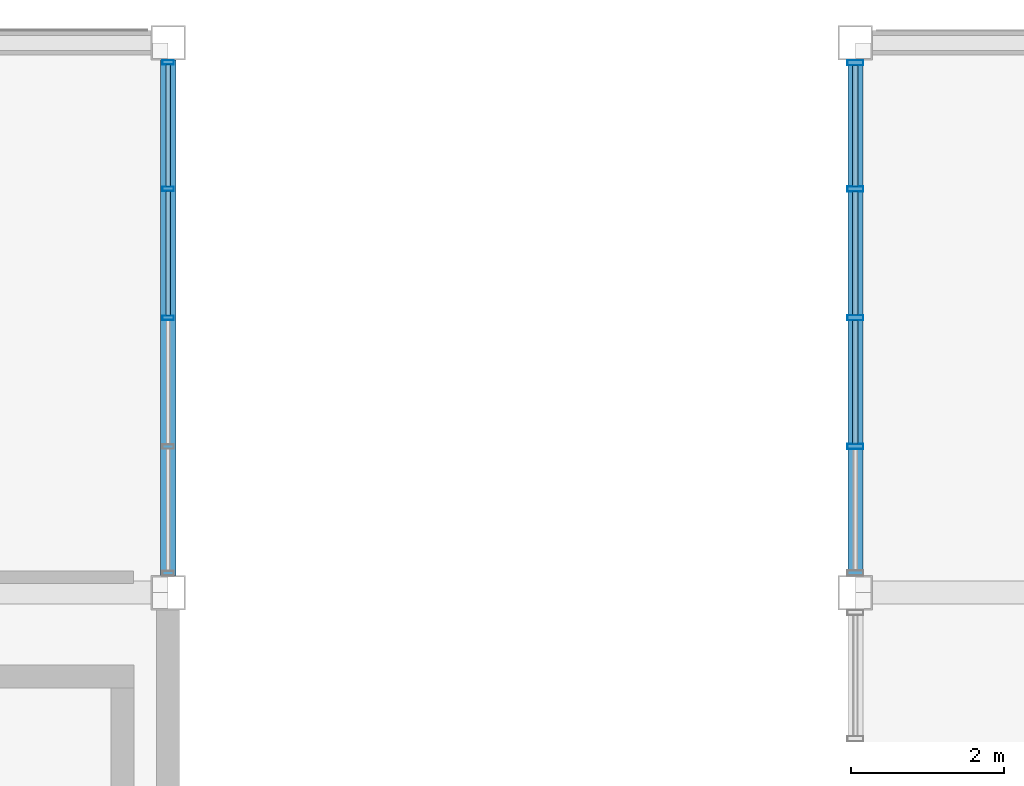
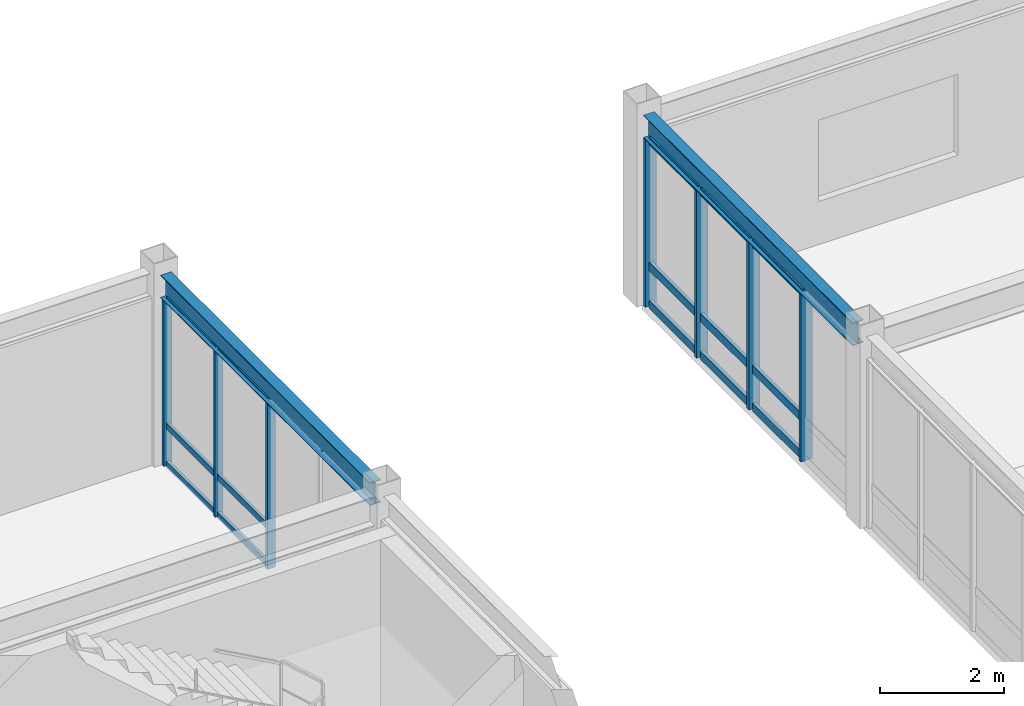
# One storey, part 62 of 113: 22 members, 2 beams, 2 elements without a shape of their own.
"""IFC4 building model written with IfcOpenShell, lengths in metres."""

from ifc_helpers import new_model, si_unit, direction, frame, origin, origin_2d, place, context, subcontext, project, spatial, hollow_rectangle, i_section, extrude, material, material_profile, profile_set, type_object, element, aggregate, save


model = new_model("IFC4")

# Units and contexts
model_context = context("Model", 3, precision=1e-05, world=origin(), true_north=direction((0.0, 1.0)))
body_context = subcontext(model_context, "Body", "Model", "MODEL_VIEW")
ifc_project = project(units=[si_unit("LENGTHUNIT", "METRE"), si_unit("AREAUNIT", "SQUARE_METRE"), si_unit("VOLUMEUNIT", "CUBIC_METRE"), si_unit("PLANEANGLEUNIT", "RADIAN"), si_unit("MASSUNIT", "GRAM", prefix="KILO")], contexts=[model_context])

# Site, building, storey
site_placement = place(None, origin())
site = spatial("IfcSite", under=ifc_project, at=site_placement, CompositionType="ELEMENT")
building_placement = place(site_placement, origin())
building = spatial("IfcBuilding", under=site, at=building_placement, Name="Kazanami Central Library", CompositionType="ELEMENT")
storey_placement = place(building_placement, frame((0.0, 0.0, 8.800048828125)))
storey = spatial("IfcBuildingStorey", under=building, at=storey_placement, Name="L03", CompositionType="ELEMENT", Elevation=8.800048828125)

# Beams
ifc_material_1 = material(Name="Steel SN490B (325 MPa)", Category="steel")
ifc_material_profile_1 = material_profile(ifc_material_1, i_section(OverallWidth=0.199951171875, OverallDepth=0.449951171875, WebThickness=0.009033203125, FlangeThickness=0.013916015625, at=origin_2d()), Name="H-450x200x9x14")
ifc_profile_set_1 = profile_set([ifc_material_profile_1], Name="Steel SN490B (325 MPa)")
beam_type = type_object("IfcBeamType", Name="BM-SP-2", PredefinedType="SPANDREL", material=ifc_profile_set_1)
for number, where, z_axis, x_axis, name in (
    (1, (36.0, 86.623046875, 3.52001953125), (0.0, 1.0, 0.0), (-1.0, 0.0, 0.0), "Girder SP-2 L03 5/N-O"),
    (2, (45.0, 86.623046875, 3.52001953125), (0.0, 1.0, 0.0), (-1.0, 0.0, 0.0), "Girder SP-2 L03 6/N-O"),
):
    element("IfcBeam", number, at=place(storey_placement, frame(where, z_axis=z_axis, x_axis=x_axis)), inside=storey, type_object=beam_type, Name=name, PredefinedType="SPANDREL", context=body_context, shape_type="SweptSolid", body=[
        extrude(i_section(OverallWidth=0.199951171875, OverallDepth=0.449951171875, WebThickness=0.009033203125, FlangeThickness=0.013916015625, at=origin_2d()), origin(), (0.0, 0.0, 1.0), 6.75390625),
    ])

# Curtain wall, members
ifc_material_2 = material(Name="Acid-Etched Low-E Laminated Glass", Category="glass")
curtain_wall_type = type_object("IfcCurtainWallType", Name="CW-6750x3295-M180", PredefinedType="USERDEFINED", material=ifc_material_2)
curtain_wall_1_placement = place(storey_placement, origin())
curtain_wall_1 = element("IfcCurtainWall", 3, at=curtain_wall_1_placement, inside=storey, type_object=curtain_wall_type, Name="Covered Link Bridge Curtain Wall CW-32 L03 W-6-12", ObjectType="UNITISED CURTAIN WALL", PredefinedType="USERDEFINED")
ifc_material_3 = material(Name="Anodised Aluminium A6063-T5", Category="aluminium")
ifc_material_profile_2 = material_profile(ifc_material_3, hollow_rectangle(XDim=0.070068359375, YDim=0.2099609375, WallThickness=0.0048828125, at=origin_2d()), Name="ALU-MULL-70x210x5")
ifc_profile_set_2 = profile_set([ifc_material_profile_2], Name="Anodised Aluminium A6063-T5")
member_type_1 = type_object("IfcMemberType", Name="MEM-CW-M1", PredefinedType="MULLION", material=ifc_profile_set_2)
member_1_placement = place(storey_placement, frame((45.0, 88.3125, 0.0), z_axis=(0.0, 0.0, 1.0), x_axis=(0.0, 1.0, 0.0)))
member_1 = element("IfcMember", 4, at=member_1_placement, type_object=member_type_1, Name="CW-32 mullion 2", PredefinedType="MULLION", context=body_context, shape_type="SweptSolid", body=[
    extrude(hollow_rectangle(XDim=0.070068359375, YDim=0.2099609375, WallThickness=0.0048828125, at=origin_2d()), origin(), (0.0, 0.0, 1.0), 3.294921875),
])
member_2_placement = place(storey_placement, frame((45.0, 90.0, 0.0), z_axis=(0.0, 0.0, 1.0), x_axis=(0.0, 1.0, 0.0)))
member_2 = element("IfcMember", 5, at=member_2_placement, type_object=member_type_1, Name="CW-32 mullion 3", PredefinedType="MULLION", context=body_context, shape_type="SweptSolid", body=[
    extrude(hollow_rectangle(XDim=0.070068359375, YDim=0.2099609375, WallThickness=0.0048828125, at=origin_2d()), origin(), (0.0, 0.0, 1.0), 3.294921875),
])
member_3_placement = place(storey_placement, frame((45.0, 91.6875, 0.0), z_axis=(0.0, 0.0, 1.0), x_axis=(0.0, 1.0, 0.0)))
member_3 = element("IfcMember", 6, at=member_3_placement, type_object=member_type_1, Name="CW-32 mullion 4", PredefinedType="MULLION", context=body_context, shape_type="SweptSolid", body=[
    extrude(hollow_rectangle(XDim=0.070068359375, YDim=0.2099609375, WallThickness=0.0048828125, at=origin_2d()), origin(), (0.0, 0.0, 1.0), 3.294921875),
])
member_4_placement = place(storey_placement, frame((45.0, 93.340087890625, 0.0), z_axis=(0.0, 0.0, 1.0), x_axis=(0.0, 1.0, 0.0)))
member_4 = element("IfcMember", 7, at=member_4_placement, type_object=member_type_1, Name="CW-32 mullion 5", PredefinedType="MULLION", context=body_context, shape_type="SweptSolid", body=[
    extrude(hollow_rectangle(XDim=0.070068359375, YDim=0.2099609375, WallThickness=0.0048828125, at=origin_2d()), origin(), (0.0, 0.0, 1.0), 3.294921875),
])

curtain_wall_2_placement = place(storey_placement, origin())
curtain_wall_2 = element("IfcCurtainWall", 8, at=curtain_wall_2_placement, inside=storey, type_object=curtain_wall_type, Name="Covered Link Bridge Curtain Wall CW-32 L03 E-5-12", ObjectType="UNITISED CURTAIN WALL", PredefinedType="USERDEFINED")
ifc_material_profile_3 = material_profile(ifc_material_3, hollow_rectangle(XDim=0.06005859375, YDim=0.14990234375, WallThickness=0.00390625, at=origin_2d()), Name="ALU-MULL-60x150x4")
ifc_profile_set_3 = profile_set([ifc_material_profile_3], Name="Anodised Aluminium A6063-T5")
member_type_2 = type_object("IfcMemberType", Name="MEM-CW-M3", PredefinedType="MULLION", material=ifc_profile_set_3)
member_5_placement = place(storey_placement, frame((36.0, 93.344970703125, 0.0), z_axis=(0.0, 0.0, 1.0), x_axis=(0.0, -1.0, 0.0)))
member_5 = element("IfcMember", 9, at=member_5_placement, type_object=member_type_2, Name="CW-32 mullion 1", PredefinedType="MULLION", context=body_context, shape_type="SweptSolid", body=[
    extrude(hollow_rectangle(XDim=0.06005859375, YDim=0.14990234375, WallThickness=0.00390625, at=origin_2d()), origin(), (0.0, 0.0, 1.0), 3.294921875),
])
member_6_placement = place(storey_placement, frame((36.0, 91.6875, 0.0), z_axis=(0.0, 0.0, 1.0), x_axis=(0.0, -1.0, 0.0)))
member_6 = element("IfcMember", 10, at=member_6_placement, type_object=member_type_2, Name="CW-32 mullion 2", PredefinedType="MULLION", context=body_context, shape_type="SweptSolid", body=[
    extrude(hollow_rectangle(XDim=0.06005859375, YDim=0.14990234375, WallThickness=0.00390625, at=origin_2d()), origin(), (0.0, 0.0, 1.0), 3.294921875),
])
member_7_placement = place(storey_placement, frame((36.0, 90.0, 0.0), z_axis=(0.0, 0.0, 1.0), x_axis=(0.0, -1.0, 0.0)))
member_7 = element("IfcMember", 11, at=member_7_placement, type_object=member_type_2, Name="CW-32 mullion 3", PredefinedType="MULLION", context=body_context, shape_type="SweptSolid", body=[
    extrude(hollow_rectangle(XDim=0.06005859375, YDim=0.14990234375, WallThickness=0.00390625, at=origin_2d()), origin(), (0.0, 0.0, 1.0), 3.294921875),
])

# Member
ifc_material_profile_4 = material_profile(ifc_material_3, hollow_rectangle(XDim=0.070068359375, YDim=0.159912109375, WallThickness=0.00390625, at=origin_2d()), Name="ALU-TRAN-70x160x4")
ifc_profile_set_4 = profile_set([ifc_material_profile_4], Name="Anodised Aluminium A6063-T5")
member_type_3 = type_object("IfcMemberType", Name="MEM-CW-T1", PredefinedType="USERDEFINED", material=ifc_profile_set_4)
member_8_placement = place(storey_placement, frame((45.0, 88.347412109375, 0.034912109375), z_axis=(0.0, 1.0, 0.0), x_axis=(-1.0, 0.0, 0.0)))
member_8 = element("IfcMember", 12, at=member_8_placement, type_object=member_type_3, Name="CW-32 transom 2.1", ObjectType="TRANSOM", PredefinedType="USERDEFINED", context=body_context, shape_type="SweptSolid", body=[
    extrude(hollow_rectangle(XDim=0.070068359375, YDim=0.159912109375, WallThickness=0.00390625, at=origin_2d()), origin(), (0.0, 0.0, 1.0), 1.61767578125),
])

member_9_placement = place(storey_placement, frame((45.0, 88.347412109375, 0.780029296875), z_axis=(0.0, 1.0, 0.0), x_axis=(-1.0, 0.0, 0.0)))
member_9 = element("IfcMember", 13, at=member_9_placement, type_object=member_type_3, Name="CW-32 transom 2.2", ObjectType="TRANSOM", PredefinedType="USERDEFINED", context=body_context, shape_type="SweptSolid", body=[
    extrude(hollow_rectangle(XDim=0.070068359375, YDim=0.159912109375, WallThickness=0.00390625, at=origin_2d()), origin(), (0.0, 0.0, 1.0), 1.61767578125),
])

member_10_placement = place(storey_placement, frame((45.0, 88.347412109375, 3.260009765625), z_axis=(0.0, 1.0, 0.0), x_axis=(-1.0, 0.0, 0.0)))
member_10 = element("IfcMember", 14, at=member_10_placement, type_object=member_type_3, Name="CW-32 transom 2.3", ObjectType="TRANSOM", PredefinedType="USERDEFINED", context=body_context, shape_type="SweptSolid", body=[
    extrude(hollow_rectangle(XDim=0.070068359375, YDim=0.159912109375, WallThickness=0.00390625, at=origin_2d()), origin(), (0.0, 0.0, 1.0), 1.61767578125),
])

member_11_placement = place(storey_placement, frame((45.0, 90.034912109375, 0.034912109375), z_axis=(0.0, 1.0, 0.0), x_axis=(-1.0, 0.0, 0.0)))
member_11 = element("IfcMember", 15, at=member_11_placement, type_object=member_type_3, Name="CW-32 transom 3.1", ObjectType="TRANSOM", PredefinedType="USERDEFINED", context=body_context, shape_type="SweptSolid", body=[
    extrude(hollow_rectangle(XDim=0.070068359375, YDim=0.159912109375, WallThickness=0.00390625, at=origin_2d()), origin(), (0.0, 0.0, 1.0), 1.61767578125),
])

member_12_placement = place(storey_placement, frame((45.0, 90.034912109375, 0.780029296875), z_axis=(0.0, 1.0, 0.0), x_axis=(-1.0, 0.0, 0.0)))
member_12 = element("IfcMember", 16, at=member_12_placement, type_object=member_type_3, Name="CW-32 transom 3.2", ObjectType="TRANSOM", PredefinedType="USERDEFINED", context=body_context, shape_type="SweptSolid", body=[
    extrude(hollow_rectangle(XDim=0.070068359375, YDim=0.159912109375, WallThickness=0.00390625, at=origin_2d()), origin(), (0.0, 0.0, 1.0), 1.61767578125),
])

member_13_placement = place(storey_placement, frame((45.0, 90.034912109375, 3.260009765625), z_axis=(0.0, 1.0, 0.0), x_axis=(-1.0, 0.0, 0.0)))
member_13 = element("IfcMember", 17, at=member_13_placement, type_object=member_type_3, Name="CW-32 transom 3.3", ObjectType="TRANSOM", PredefinedType="USERDEFINED", context=body_context, shape_type="SweptSolid", body=[
    extrude(hollow_rectangle(XDim=0.070068359375, YDim=0.159912109375, WallThickness=0.00390625, at=origin_2d()), origin(), (0.0, 0.0, 1.0), 1.61767578125),
])

member_14_placement = place(storey_placement, frame((45.0, 91.722412109375, 0.034912109375), z_axis=(0.0, 1.0, 0.0), x_axis=(-1.0, 0.0, 0.0)))
member_14 = element("IfcMember", 18, at=member_14_placement, type_object=member_type_3, Name="CW-32 transom 4.1", ObjectType="TRANSOM", PredefinedType="USERDEFINED", context=body_context, shape_type="SweptSolid", body=[
    extrude(hollow_rectangle(XDim=0.070068359375, YDim=0.159912109375, WallThickness=0.00390625, at=origin_2d()), origin(), (0.0, 0.0, 1.0), 1.58251953125),
])

member_15_placement = place(storey_placement, frame((45.0, 91.722412109375, 0.780029296875), z_axis=(0.0, 1.0, 0.0), x_axis=(-1.0, 0.0, 0.0)))
member_15 = element("IfcMember", 19, at=member_15_placement, type_object=member_type_3, Name="CW-32 transom 4.2", ObjectType="TRANSOM", PredefinedType="USERDEFINED", context=body_context, shape_type="SweptSolid", body=[
    extrude(hollow_rectangle(XDim=0.070068359375, YDim=0.159912109375, WallThickness=0.00390625, at=origin_2d()), origin(), (0.0, 0.0, 1.0), 1.58251953125),
])

member_16_placement = place(storey_placement, frame((45.0, 91.722412109375, 3.260009765625), z_axis=(0.0, 1.0, 0.0), x_axis=(-1.0, 0.0, 0.0)))
member_16 = element("IfcMember", 20, at=member_16_placement, type_object=member_type_3, Name="CW-32 transom 4.3", ObjectType="TRANSOM", PredefinedType="USERDEFINED", context=body_context, shape_type="SweptSolid", body=[
    extrude(hollow_rectangle(XDim=0.070068359375, YDim=0.159912109375, WallThickness=0.00390625, at=origin_2d()), origin(), (0.0, 0.0, 1.0), 1.58251953125),
])

aggregate(curtain_wall_1, [member_1, member_2, member_3, member_4, member_8, member_9, member_10, member_11, member_12, member_13, member_14, member_15, member_16])

ifc_material_profile_5 = material_profile(ifc_material_3, hollow_rectangle(XDim=0.06005859375, YDim=0.1201171875, WallThickness=0.00341796875, at=origin_2d()), Name="ALU-TRAN-60x120x3.5")
ifc_profile_set_5 = profile_set([ifc_material_profile_5], Name="Anodised Aluminium A6063-T5")
member_type_4 = type_object("IfcMemberType", Name="MEM-CW-T3", PredefinedType="USERDEFINED", material=ifc_profile_set_5)
member_17_placement = place(storey_placement, frame((36.0, 93.31494140625, 0.030029296875), z_axis=(0.0, -1.0, 0.0), x_axis=(1.0, 0.0, 0.0)))
member_17 = element("IfcMember", 21, at=member_17_placement, type_object=member_type_4, Name="CW-32 transom 1.1", ObjectType="TRANSOM", PredefinedType="USERDEFINED", context=body_context, shape_type="SweptSolid", body=[
    extrude(hollow_rectangle(XDim=0.06005859375, YDim=0.1201171875, WallThickness=0.00341796875, at=origin_2d()), origin(), (0.0, 0.0, 1.0), 1.597412109375),
])

member_18_placement = place(storey_placement, frame((36.0, 93.31494140625, 0.780029296875), z_axis=(0.0, -1.0, 0.0), x_axis=(1.0, 0.0, 0.0)))
member_18 = element("IfcMember", 22, at=member_18_placement, type_object=member_type_4, Name="CW-32 transom 1.2", ObjectType="TRANSOM", PredefinedType="USERDEFINED", context=body_context, shape_type="SweptSolid", body=[
    extrude(hollow_rectangle(XDim=0.06005859375, YDim=0.1201171875, WallThickness=0.00341796875, at=origin_2d()), origin(), (0.0, 0.0, 1.0), 1.597412109375),
])

member_19_placement = place(storey_placement, frame((36.0, 93.31494140625, 3.264892578125), z_axis=(0.0, -1.0, 0.0), x_axis=(1.0, 0.0, 0.0)))
member_19 = element("IfcMember", 23, at=member_19_placement, type_object=member_type_4, Name="CW-32 transom 1.3", ObjectType="TRANSOM", PredefinedType="USERDEFINED", context=body_context, shape_type="SweptSolid", body=[
    extrude(hollow_rectangle(XDim=0.06005859375, YDim=0.1201171875, WallThickness=0.00341796875, at=origin_2d()), origin(), (0.0, 0.0, 1.0), 1.597412109375),
])

member_20_placement = place(storey_placement, frame((36.0, 91.657470703125, 0.030029296875), z_axis=(0.0, -1.0, 0.0), x_axis=(1.0, 0.0, 0.0)))
member_20 = element("IfcMember", 24, at=member_20_placement, type_object=member_type_4, Name="CW-32 transom 2.1", ObjectType="TRANSOM", PredefinedType="USERDEFINED", context=body_context, shape_type="SweptSolid", body=[
    extrude(hollow_rectangle(XDim=0.06005859375, YDim=0.1201171875, WallThickness=0.00341796875, at=origin_2d()), origin(), (0.0, 0.0, 1.0), 1.62744140625),
])

member_21_placement = place(storey_placement, frame((36.0, 91.657470703125, 0.780029296875), z_axis=(0.0, -1.0, 0.0), x_axis=(1.0, 0.0, 0.0)))
member_21 = element("IfcMember", 25, at=member_21_placement, type_object=member_type_4, Name="CW-32 transom 2.2", ObjectType="TRANSOM", PredefinedType="USERDEFINED", context=body_context, shape_type="SweptSolid", body=[
    extrude(hollow_rectangle(XDim=0.06005859375, YDim=0.1201171875, WallThickness=0.00341796875, at=origin_2d()), origin(), (0.0, 0.0, 1.0), 1.62744140625),
])

member_22_placement = place(storey_placement, frame((36.0, 91.657470703125, 3.264892578125), z_axis=(0.0, -1.0, 0.0), x_axis=(1.0, 0.0, 0.0)))
member_22 = element("IfcMember", 26, at=member_22_placement, type_object=member_type_4, Name="CW-32 transom 2.3", ObjectType="TRANSOM", PredefinedType="USERDEFINED", context=body_context, shape_type="SweptSolid", body=[
    extrude(hollow_rectangle(XDim=0.06005859375, YDim=0.1201171875, WallThickness=0.00341796875, at=origin_2d()), origin(), (0.0, 0.0, 1.0), 1.62744140625),
])

aggregate(curtain_wall_2, [member_5, member_6, member_7, member_17, member_18, member_19, member_20, member_21, member_22])

save(model, "model.ifc")
